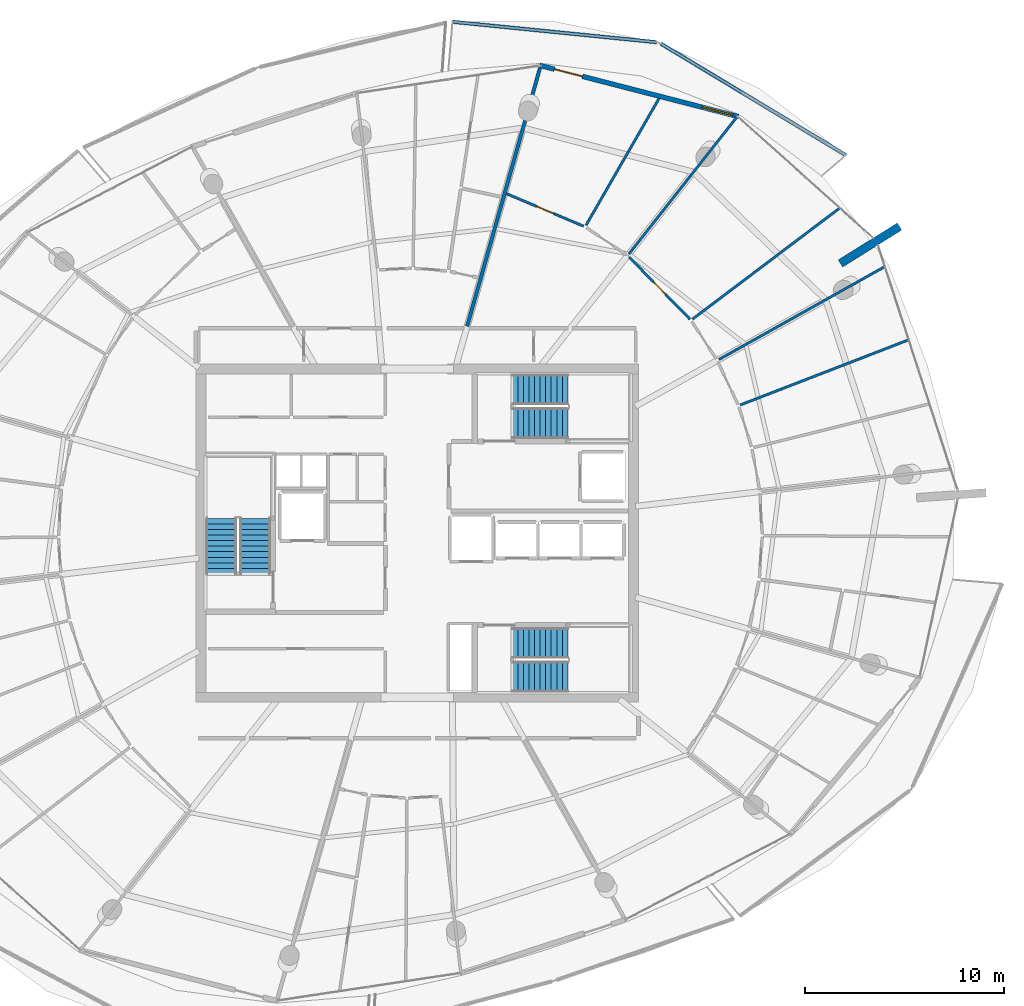
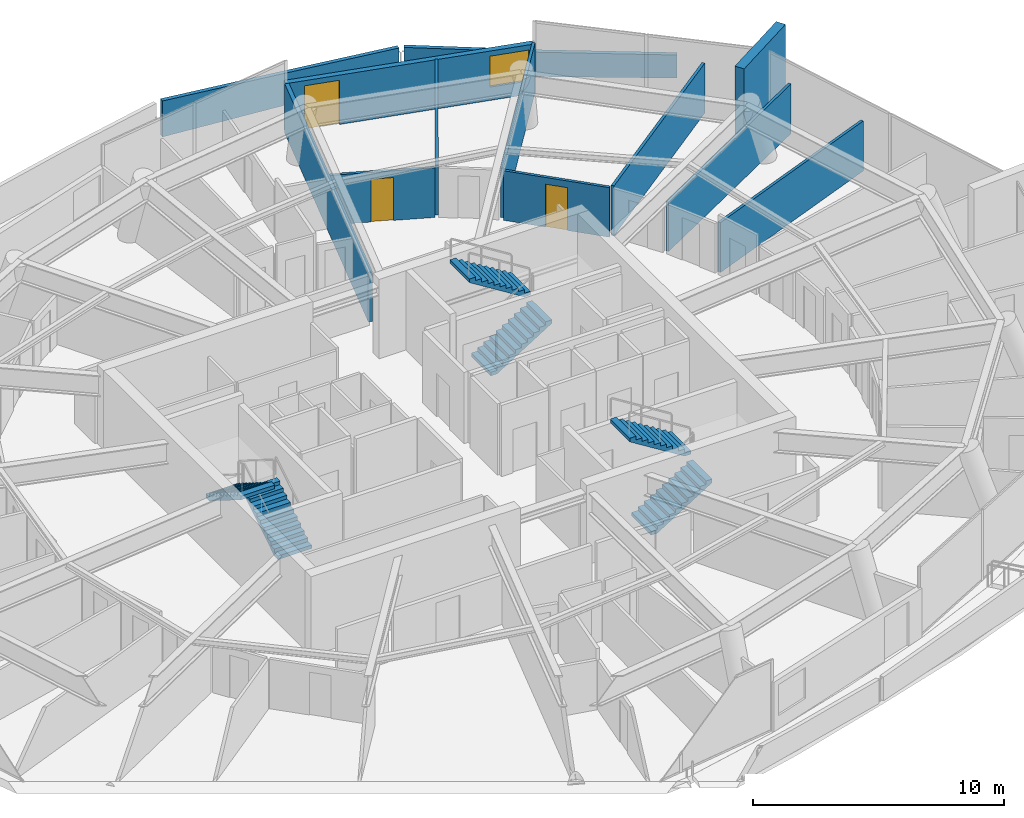
# One storey, part 19 of 24: 12 walls, 6 stair flights, 3 doors, 1 window, 4 openings, 3 elements without a shape of their own.
"""IFC4 building model written with IfcOpenShell, lengths in metres."""

import ifcopenshell
import ifcopenshell.guid

model = None  # the IFC model being written
_history = None  # IfcOwnerHistory: only IFC2X3 demands one
_inside = {}  # id of a spatial element -> (the spatial element, [elements in it])
_under = {}  # id of a project, library or spatial element -> (it, [spatial elements below it])
_declared = {}  # id of a project -> (the project, [libraries it declares])
_typed = {}  # id of a type object -> (the type object, [elements of that type])
_made_of = {}  # id of a material, layer set ... -> (it, [elements and type objects made of it])


def new_model(schema):
    """Start an empty IFC model of exactly this schema.

    Asked for "IFC4X3", IfcOpenShell would pick the latest addendum, in which some entities
    have other attributes; the version numbers below select the first issue.
    IFC2X3 requires an IfcOwnerHistory on every rooted entity: one is made here for all.
    """
    global model, _history
    if schema == "IFC4X3":
        model = ifcopenshell.file(schema_version=(4, 3, 0, 0))
    else:
        model = ifcopenshell.file(schema=schema)
    _inside.clear()
    _under.clear()
    _declared.clear()
    _typed.clear()
    _made_of.clear()
    _history = None
    if model.schema == "IFC2X3":
        org = make("IfcOrganization", Name="unknown")
        user = make(
            "IfcPersonAndOrganization",
            ThePerson=make("IfcPerson", FamilyName="unknown"),
            TheOrganization=org,
        )
        app = make(
            "IfcApplication",
            ApplicationDeveloper=org,
            Version="unknown",
            ApplicationFullName="unknown",
            ApplicationIdentifier="unknown",
        )
        _history = make(
            "IfcOwnerHistory",
            OwningUser=user,
            OwningApplication=app,
            ChangeAction="ADDED",
            CreationDate=0,
        )
    return model


def make(cls, **values):
    """One entity of the class cls with the attributes given. An attribute that is None is left unset."""
    return model.create_entity(
        cls, **{name: value for name, value in values.items() if value is not None}
    )


def rooted(cls, **values):
    """An entity with a GlobalId (a new one), such as an element, a storey or a relation."""
    return make(cls, GlobalId=ifcopenshell.guid.new(), OwnerHistory=_history, **values)


def si_unit(unit_type, name, prefix=None):
    """IfcSIUnit, for example si_unit("LENGTHUNIT", "METRE", prefix="MILLI")."""
    return make("IfcSIUnit", UnitType=unit_type, Prefix=prefix, Name=name)


def assignment(units):
    """IfcUnitAssignment: the units of a project."""
    return None if units is None else make("IfcUnitAssignment", Units=units)


def point(xyz):
    """IfcCartesianPoint."""
    return None if xyz is None else make("IfcCartesianPoint", Coordinates=xyz)


def direction(xyz):
    """IfcDirection."""
    return None if xyz is None else make("IfcDirection", DirectionRatios=xyz)


def frame(location, z_axis=None, x_axis=None):
    """IfcAxis2Placement3D, a coordinate frame: its origin and axes. An axis left out is left unset."""
    return make(
        "IfcAxis2Placement3D",
        Location=point(location),
        Axis=direction(z_axis),
        RefDirection=direction(x_axis),
    )


def frame_2d(location, x_axis=None):
    """IfcAxis2Placement2D, a coordinate frame in the plane: its origin and x axis."""
    return make(
        "IfcAxis2Placement2D", Location=point(location), RefDirection=direction(x_axis)
    )


def origin():
    """The frame at (0, 0, 0) with its axes left unset."""
    return frame((0.0, 0.0, 0.0))


def place(relative_to, where):
    """IfcLocalPlacement: puts the frame where relative to a parent placement (None: the world)."""
    return make(
        "IfcLocalPlacement", PlacementRelTo=relative_to, RelativePlacement=where
    )


def context(
    kind, dimensions, precision=None, world=None, true_north=None, identifier=None
):
    """IfcGeometricRepresentationContext, for example the 3D "Model" context."""
    return make(
        "IfcGeometricRepresentationContext",
        ContextIdentifier=identifier,
        ContextType=kind,
        CoordinateSpaceDimension=dimensions,
        Precision=precision,
        WorldCoordinateSystem=world,
        TrueNorth=true_north,
    )


def subcontext(parent, identifier, kind, view, scale=None):
    """IfcGeometricRepresentationSubContext, for example "Body" below "Model"."""
    return make(
        "IfcGeometricRepresentationSubContext",
        ContextIdentifier=identifier,
        ContextType=kind,
        ParentContext=parent,
        TargetScale=scale,
        TargetView=view,
    )


def project(units=None, contexts=None):
    """IfcProject with its units and contexts."""
    return rooted(
        "IfcProject",
        Name="project",
        RepresentationContexts=contexts,
        UnitsInContext=assignment(units),
    )


def spatial(cls, under=None, at=None, **own):
    """A site, building, storey or space (cls), placed at a placement, below another one or the project."""
    s = rooted(cls, ObjectPlacement=at, **own)
    if under is not None:
        _under.setdefault(under.id(), (under, []))[1].append(s)
    return s


def polyline(points):
    """IfcPolyline through the points."""
    return make("IfcPolyline", Points=[point(p) for p in points])


def profile(cls, at=None, kind="AREA", **sizes):
    """A parametric profile (cls). Its sizes go by their IFC names, for example OverallWidth=200.0."""
    return make(cls, ProfileType=kind, Position=at, **sizes)


def rectangle(**sizes):
    """IfcRectangleProfileDef."""
    return profile("IfcRectangleProfileDef", **sizes)


def outline(outer, holes=None, kind="AREA"):
    """IfcArbitraryClosedProfileDef: a profile drawn as a closed curve; with holes, ...WithVoids."""
    if holes is None:
        return make("IfcArbitraryClosedProfileDef", ProfileType=kind, OuterCurve=outer)
    return make(
        "IfcArbitraryProfileDefWithVoids",
        ProfileType=kind,
        OuterCurve=outer,
        InnerCurves=holes,
    )


def extrude(swept, where, along, depth):
    """IfcExtrudedAreaSolid: the profile swept, set in the frame where, extruded along a direction by depth."""
    return make(
        "IfcExtrudedAreaSolid",
        SweptArea=swept,
        Position=where,
        ExtrudedDirection=direction(along),
        Depth=depth,
    )


def shape(context_of_items, identifier, shape_type, items):
    """IfcShapeRepresentation: the items that make up one representation, for example the "Body"."""
    return make(
        "IfcShapeRepresentation",
        ContextOfItems=context_of_items,
        RepresentationIdentifier=identifier,
        RepresentationType=shape_type,
        Items=items,
    )


def material(Name=None, Category=None):
    """IfcMaterial."""
    return make("IfcMaterial", Name=Name, Category=Category)


def layer(
    of_material, thickness, ventilated=None, Name=None, Category=None, Priority=None
):
    """IfcMaterialLayer: one layer of a wall or slab, of a material (None: an air gap)."""
    return make(
        "IfcMaterialLayer",
        Material=of_material,
        LayerThickness=thickness,
        IsVentilated=ventilated,
        Name=Name,
        Category=Category,
        Priority=Priority,
    )


def layer_set(layers, Name=None):
    """IfcMaterialLayerSet."""
    return make("IfcMaterialLayerSet", MaterialLayers=layers, LayerSetName=Name)


def made_of(thing, what):
    """Note that an element or type object is made of a material, layer set ...; save() writes the relation."""
    if what is not None:
        _made_of.setdefault(what.id(), (what, []))[1].append(thing)
    return thing


def type_object(cls, material=None, **own):
    """A type object (cls), such as IfcWallType, which elements share."""
    return made_of(rooted(cls, **own), material)


def element(
    cls,
    number,
    at=None,
    inside=None,
    cuts=None,
    type_object=None,
    material=None,
    context=None,
    identifier="Body",
    shape_type=None,
    held_by="IfcProductDefinitionShape",
    body=None,
    shapes=None,
    **own,
):
    """One element of the class cls, such as IfcWall. Its Tag is "e" and its number.

    at: its placement. inside: the storey or other place that contains it. cuts: it is an
    opening in that element (IfcRelVoidsElement). A single representation is given by context,
    identifier, shape_type and body (its items); several are given by shapes. held_by: the class
    of the entity that holds the representations. save() writes the other relations.
    """
    e = rooted(cls, Tag="e%d" % number, ObjectPlacement=at, **own)
    if body is not None:
        shapes = [shape(context, identifier, shape_type, body)]
    if shapes is not None:
        e.Representation = make(held_by, Representations=shapes)
    if inside is not None:
        _inside.setdefault(inside.id(), (inside, []))[1].append(e)
    if cuts is not None:
        rooted(
            "IfcRelVoidsElement", RelatingBuildingElement=cuts, RelatedOpeningElement=e
        )
    if type_object is not None:
        _typed.setdefault(type_object.id(), (type_object, []))[1].append(e)
    return made_of(e, material)


def fill(opening, filler):
    """IfcRelFillsElement: the door or window that sits in an opening."""
    return rooted(
        "IfcRelFillsElement",
        RelatingOpeningElement=opening,
        RelatedBuildingElement=filler,
    )


def aggregate(whole, parts):
    """IfcRelAggregates: a whole, such as a stair, and the parts it consists of."""
    return rooted("IfcRelAggregates", RelatingObject=whole, RelatedObjects=parts)


def save(model, path):
    """Write the relations noted so far, then the file.

    IfcRelAggregates (storeys below a building ...), IfcRelContainedInSpatialStructure (elements
    in a storey), IfcRelDefinesByType, IfcRelAssociatesMaterial and IfcRelDeclares: one each for
    every whole, place, type object, material and project.
    """
    for whole, parts in _under.values():
        aggregate(whole, parts)
    for where, things in _inside.values():
        rooted(
            "IfcRelContainedInSpatialStructure",
            RelatedElements=things,
            RelatingStructure=where,
        )
    for kind, things in _typed.values():
        rooted("IfcRelDefinesByType", RelatedObjects=things, RelatingType=kind)
    for what, things in _made_of.values():
        rooted("IfcRelAssociatesMaterial", RelatedObjects=things, RelatingMaterial=what)
    for by, libraries in _declared.values():
        rooted("IfcRelDeclares", RelatingContext=by, RelatedDefinitions=libraries)
    model.write(path)


model = new_model("IFC4")

# Units and contexts
model_context = context("Model", 3, precision=1e-05, world=origin(), true_north=direction((0.0, 1.0)))
body_context = subcontext(model_context, "Body", "Model", "MODEL_VIEW")
ifc_project = project(units=[si_unit("LENGTHUNIT", "METRE"), si_unit("AREAUNIT", "SQUARE_METRE"), si_unit("VOLUMEUNIT", "CUBIC_METRE"), si_unit("PLANEANGLEUNIT", "RADIAN"), si_unit("MASSUNIT", "GRAM", prefix="KILO")], contexts=[model_context])

# Site, building, storey
site_placement = place(None, origin())
site = spatial("IfcSite", under=ifc_project, at=site_placement, CompositionType="ELEMENT")
building_placement = place(site_placement, origin())
building = spatial("IfcBuilding", under=site, at=building_placement, Name="Kazma Halo Residences", CompositionType="ELEMENT")
storey_placement = place(building_placement, frame((0.0, 0.0, 309.85009765625)))
storey = spatial("IfcBuildingStorey", under=building, at=storey_placement, Name="L78", CompositionType="ELEMENT", Elevation=309.85009765625)

# Walls
ifc_material_1 = material(Name="White Concrete C50/60 Balustrade", Category="concrete")
ifc_layer_1 = layer(ifc_material_1, 0.179931640625)
ifc_layer_set_1 = layer_set([ifc_layer_1], Name="White Concrete C50/60 Balustrade")
wall_type_1 = type_object("IfcWallType", Name="WL-BAL-WAVE-180", PredefinedType="PARAPET", material=ifc_layer_set_1)
wall_1_placement = place(storey_placement, frame((69.9814453125, 61.00732421875, 0.0), z_axis=(0.0, 0.0, 1.0), x_axis=(-0.85644224308, 0.516242853964, 0.0)))
element("IfcWall", 1, at=wall_1_placement, inside=storey, type_object=wall_type_1, Name="L78 white wave balustrade wall NE.1", PredefinedType="PARAPET", context=body_context, shape_type="SweptSolid", body=[
    extrude(outline(polyline([(0.0, 0.0), (10.8642578125, 0.0), (10.8642578125, 1.347900390625), (5.43212890625, 1.181884765625), (0.0, 1.119873046875), (0.0, 0.0)])), frame((0.0, 0.08984375, 0.0), z_axis=(0.0, -1.0, 0.0), x_axis=(1.0, 0.0, 0.0)), (0.0, 0.0, 1.0), 0.179931640625),
])
wall_2_placement = place(storey_placement, frame((60.45458984375, 66.689697265625, 0.0), z_axis=(0.0, 0.0, 1.0), x_axis=(-0.995045849645, 0.099417086577, 0.0)))
element("IfcWall", 2, at=wall_2_placement, inside=storey, type_object=wall_type_1, Name="L78 white wave balustrade wall NE.2", PredefinedType="PARAPET", context=body_context, shape_type="SweptSolid", body=[
    extrude(outline(polyline([(0.0, 0.0), (10.32373046875, 0.0), (10.32373046875, 1.746826171875), (5.161865234375, 1.56201171875), (0.0, 1.347900390625), (0.0, 0.0)])), frame((0.0, 0.08984375, 0.0), z_axis=(0.0, -1.0, 0.0), x_axis=(1.0, 0.0, 0.0)), (0.0, 0.0, 1.0), 0.179931640625),
])
ifc_material_2 = material(Name="Pale Concrete C60/75", Category="concrete")
ifc_layer_2 = layer(ifc_material_2, 0.419921875)
ifc_layer_set_2 = layer_set([ifc_layer_2], Name="Pale Concrete C60/75")
wall_type_2 = type_object("IfcWallType", Name="WL-BLADE-420", PredefinedType="SOLIDWALL", material=ifc_layer_set_2)
wall_3_placement = place(storey_placement, frame((69.707275390625, 55.564208984375, 0.0), z_axis=(0.0, 0.0, 1.0), x_axis=(0.848053161125, 0.529911158502, 0.0)))
element("IfcWall", 3, at=wall_3_placement, inside=storey, type_object=wall_type_2, Name="L78 pale concrete structural blade fin wall BW-01", PredefinedType="SOLIDWALL", context=body_context, shape_type="SweptSolid", body=[
    extrude(rectangle(XDim=3.5, YDim=0.419921875, at=frame_2d((1.75, 0.0))), origin(), (0.0, 0.0, 1.0), 3.849853515625),
])
ifc_material_3 = material(Name="Acoustic Twin-Stud Gypsum")
ifc_layer_3 = layer(ifc_material_3, 0.179931640625)
ifc_layer_set_3 = layer_set([ifc_layer_3], Name="Acoustic Twin-Stud Gypsum")
wall_type_3 = type_object("IfcWallType", Name="WL-DEM-180", PredefinedType="PARTITIONING", material=ifc_layer_set_3)
wall_4_placement = place(storey_placement, frame((50.934814453125, 52.406005859375, 0.0), z_axis=(0.0, 0.0, 1.0), x_axis=(0.271447701057, 0.962453191376, 0.0)))
element("IfcWall", 4, at=wall_4_placement, inside=storey, type_object=wall_type_3, Name="L78 apartment demising radial wall 02", PredefinedType="PARTITIONING", context=body_context, shape_type="SweptSolid", body=[
    extrude(rectangle(XDim=13.491943359375, YDim=0.179931640625, at=frame_2d((6.74609375, 0.0))), origin(), (0.0, 0.0, 1.0), 2.406982421875),
])

# Wall, openings, door, window
ifc_material_4 = material(Name="Insulated Pale-Metal Composite Wall")
ifc_layer_4 = layer(ifc_material_4, 0.239990234375)
ifc_layer_set_4 = layer_set([ifc_layer_4], Name="Insulated Pale-Metal Composite Wall")
wall_type_4 = type_object("IfcWallType", Name="WL-EXT-HOST-240", PredefinedType="SOLIDWALL", material=ifc_layer_set_4)
wall_5_placement = place(storey_placement, frame((64.57373046875, 62.94970703125, 0.0), z_axis=(0.0, 0.0, 1.0), x_axis=(-0.968369046262, 0.249522324133, 0.0)))
wall_5 = element("IfcWall", 5, at=wall_5_placement, inside=storey, type_object=wall_type_4, Name="L78 exterior terrace-access wall B02", PredefinedType="SOLIDWALL", context=body_context, shape_type="SweptSolid", body=[
    extrude(rectangle(XDim=10.317626953125, YDim=0.239990234375, at=frame_2d((5.15869140625, 0.0))), origin(), (0.0, 0.0, 1.0), 2.39990234375),
])
opening_1_placement = place(wall_5_placement, frame((8.097412109375, 0.0, 0.0)))
opening_1 = element("IfcOpeningElement", 6, at=opening_1_placement, cuts=wall_5, Name="Opening DTR-1600", PredefinedType="OPENING", context=body_context, shape_type="SweptSolid", body=[
    extrude(rectangle(XDim=1.449951171875, YDim=2.14990234375, at=frame_2d((0.72509765625, 1.074951171875))), frame((0.0, 0.1298828125, 0.0), z_axis=(0.0, -1.0, 0.0), x_axis=(1.0, 0.0, 0.0)), (0.0, 0.0, 1.0), 0.260009765625),
])
opening_2_placement = place(wall_5_placement, frame((0.280029296875, 0.0, 0.64990234375)))
opening_2 = element("IfcOpeningElement", 7, at=opening_2_placement, cuts=wall_5, Name="Opening W-1800", PredefinedType="OPENING", context=body_context, shape_type="SweptSolid", body=[
    extrude(rectangle(XDim=1.60009765625, YDim=1.5, at=frame_2d((0.800048828125, 0.75))), frame((0.0, 0.1298828125, 0.0), z_axis=(0.0, -1.0, 0.0), x_axis=(1.0, 0.0, 0.0)), (0.0, 0.0, 1.0), 0.260009765625),
])
ifc_material_5 = material(Name="Aluminium AW-6063 T6 Double-Glazed Terrace Door", Category="aluminium")
door_type_1 = type_object("IfcDoorType", Name="DR-EXT-TERR-1600", OperationType="NOTDEFINED", PredefinedType="DOOR", material=ifc_material_5)
door_1_placement = place(opening_1_placement, origin())
door_1 = element("IfcDoor", 8, at=door_1_placement, inside=storey, type_object=door_type_1, Name="L78 B02 balcony terrace door", OperationType="DOUBLE_DOOR_SLIDING", OverallHeight=2.14990234375, OverallWidth=1.449951171875, PredefinedType="DOOR", context=body_context, shape_type="SweptSolid", body=[
    extrude(rectangle(XDim=1.449951171875, YDim=2.14990234375, at=frame_2d((0.72509765625, 1.074951171875))), frame((0.0, 0.02490234375, 0.0), z_axis=(0.0, -1.0, 0.0), x_axis=(1.0, 0.0, 0.0)), (0.0, 0.0, 1.0), 0.050048828125),
])
fill(opening_1, door_1)
ifc_material_6 = material(Name="Clear Triple-Silver Low-E Glass in Aluminium AW-6063 T6 Frame", Category="aluminium")
window_type = type_object("IfcWindowType", Name="WIN-RES-1800", PartitioningType="DOUBLE_PANEL_VERTICAL", PredefinedType="WINDOW", material=ifc_material_6)
window_placement = place(opening_2_placement, origin())
window = element("IfcWindow", 9, at=window_placement, inside=storey, type_object=window_type, Name="L78 B02 apartment window", OverallHeight=1.5, OverallWidth=1.60009765625, PartitioningType="SINGLE_PANEL", PredefinedType="WINDOW", context=body_context, shape_type="SweptSolid", body=[
    extrude(rectangle(XDim=1.60009765625, YDim=1.5, at=frame_2d((0.800048828125, 0.75))), frame((0.0, 0.030029296875, 0.0), z_axis=(0.0, -1.0, 0.0), x_axis=(1.0, 0.0, 0.0)), (0.0, 0.0, 1.0), 0.06005859375),
])
fill(opening_2, window)

# Walls
ifc_material_7 = material(Name="Gypsum Plasterboard Partition")
ifc_layer_5 = layer(ifc_material_7, 0.125)
ifc_layer_set_5 = layer_set([ifc_layer_5], Name="Gypsum Plasterboard Partition")
wall_type_5 = type_object("IfcWallType", Name="WL-PART-125", PredefinedType="PARTITIONING", material=ifc_layer_set_5)
wall_6_placement = place(storey_placement, frame((64.66259765625, 48.4462890625, 0.0), z_axis=(0.0, 0.0, 1.0), x_axis=(0.932642933348, 0.360800719062, 0.0)))
element("IfcWall", 10, at=wall_6_placement, inside=storey, type_object=wall_type_5, Name="L78 Apartment 4 bay wall 2 15", PredefinedType="PARTITIONING", context=body_context, shape_type="SweptSolid", body=[
    extrude(rectangle(XDim=9.0673828125, YDim=0.125, at=frame_2d((4.53369140625, 0.0))), origin(), (0.0, 0.0, 1.0), 2.4248046875),
])
wall_7_placement = place(storey_placement, frame((63.5966796875, 50.734619140625, 0.0), z_axis=(0.0, 0.0, 1.0), x_axis=(0.872500345179, 0.48861349517, 0.0)))
element("IfcWall", 11, at=wall_7_placement, inside=storey, type_object=wall_type_5, Name="L78 Apartment 4 radial partition 0", PredefinedType="PARTITIONING", context=body_context, shape_type="SweptSolid", body=[
    extrude(rectangle(XDim=9.5439453125, YDim=0.125, at=frame_2d((4.77197265625, 0.0))), origin(), (0.0, 0.0, 1.0), 2.406982421875),
])
wall_8_placement = place(storey_placement, frame((62.26171875, 52.7607421875, 0.0), z_axis=(0.0, 0.0, 1.0), x_axis=(0.798277470684, 0.602289863603, 0.0)))
element("IfcWall", 12, at=wall_8_placement, inside=storey, type_object=wall_type_5, Name="L78 Apartment 4 mid-bay wall 0", PredefinedType="PARTITIONING", context=body_context, shape_type="SweptSolid", body=[
    extrude(rectangle(XDim=9.2529296875, YDim=0.125, at=frame_2d((4.62646484375, 0.0))), origin(), (0.0, 0.0, 1.0), 2.4248046875),
])

# Wall, opening, door
wall_9_placement = place(storey_placement, frame((62.134033203125, 52.763671875, 0.0), z_axis=(0.0, 0.0, 1.0), x_axis=(-0.699585598454, 0.714548801997, 0.0)))
wall_9 = element("IfcWall", 13, at=wall_9_placement, inside=storey, type_object=wall_type_5, Name="L78 Apartment 4 Corner Master Bedroom hall wall", PredefinedType="PARTITIONING", context=body_context, shape_type="SweptSolid", body=[
    extrude(rectangle(XDim=4.372802734375, YDim=0.125, at=frame_2d((2.1865234375, 0.0))), origin(), (0.0, 0.0, 1.0), 2.406982421875),
])
opening_3_placement = place(wall_9_placement, frame((1.736328125, 0.0, 0.0)))
opening_3 = element("IfcOpeningElement", 14, at=opening_3_placement, cuts=wall_9, Name="Opening DI-950", PredefinedType="OPENING", context=body_context, shape_type="SweptSolid", body=[
    extrude(rectangle(XDim=0.89990234375, YDim=2.080078125, at=frame_2d((0.449951171875, 1.0400390625))), frame((0.0, 0.072509765625, 0.0), z_axis=(0.0, -1.0, 0.0), x_axis=(1.0, 0.0, 0.0)), (0.0, 0.0, 1.0), 0.14501953125),
])
ifc_material_8 = material(Name="Timber Veneer Flush Leaf", Category="wood")
door_type_2 = type_object("IfcDoorType", Name="DR-INT-950", OperationType="NOTDEFINED", PredefinedType="DOOR", material=ifc_material_8)
door_2_placement = place(opening_3_placement, origin())
door_2 = element("IfcDoor", 15, at=door_2_placement, inside=storey, type_object=door_type_2, Name="L78 Apartment 4 Corner Master Bedroom door", OperationType="SINGLE_SWING_RIGHT", OverallHeight=2.080078125, OverallWidth=0.89990234375, PredefinedType="DOOR", context=body_context, shape_type="SweptSolid", body=[
    extrude(rectangle(XDim=0.89990234375, YDim=2.080078125, at=frame_2d((0.449951171875, 1.0400390625))), frame((0.0, 0.02490234375, 0.0), z_axis=(0.0, -1.0, 0.0), x_axis=(1.0, 0.0, 0.0)), (0.0, 0.0, 1.0), 0.050048828125),
])
fill(opening_3, door_2)

# Walls
wall_10_placement = place(storey_placement, frame((59.06689453125, 56.038330078125, 0.0), z_axis=(0.0, 0.0, 1.0), x_axis=(0.619108431237, 0.785305514034, 0.0)))
element("IfcWall", 16, at=wall_10_placement, inside=storey, type_object=wall_type_5, Name="L78 Apartment 4 radial partition 1", PredefinedType="PARTITIONING", context=body_context, shape_type="SweptSolid", body=[
    extrude(rectangle(XDim=8.791748046875, YDim=0.125, at=frame_2d((4.39599609375, 0.0))), origin(), (0.0, 0.0, 1.0), 2.406982421875),
])
wall_11_placement = place(storey_placement, frame((56.91259765625, 57.484130859375, 0.0), z_axis=(0.0, 0.0, 1.0), x_axis=(0.498883559373, 0.866669022285, 0.0)))
element("IfcWall", 17, at=wall_11_placement, inside=storey, type_object=wall_type_5, Name="L78 Apartment 4 mid-bay wall 1", PredefinedType="PARTITIONING", context=body_context, shape_type="SweptSolid", body=[
    extrude(rectangle(XDim=7.350341796875, YDim=0.125, at=frame_2d((3.67529296875, 0.0))), origin(), (0.0, 0.0, 1.0), 2.4248046875),
])

# Wall, opening, door
wall_12_placement = place(storey_placement, frame((56.794189453125, 57.43701171875, 0.0), z_axis=(0.0, 0.0, 1.0), x_axis=(-0.921600413671, 0.388140023087, 0.0)))
wall_12 = element("IfcWall", 18, at=wall_12_placement, inside=storey, type_object=wall_type_5, Name="L78 Apartment 4 Sky Master Bedroom hall wall", PredefinedType="PARTITIONING", context=body_context, shape_type="SweptSolid", body=[
    extrude(rectangle(XDim=4.206787109375, YDim=0.125, at=frame_2d((2.103515625, 0.0))), origin(), (0.0, 0.0, 1.0), 2.406982421875),
])
opening_4_placement = place(wall_12_placement, frame((1.6533203125, 0.0, 0.0)))
opening_4 = element("IfcOpeningElement", 19, at=opening_4_placement, cuts=wall_12, Name="Opening DI-950", PredefinedType="OPENING", context=body_context, shape_type="SweptSolid", body=[
    extrude(rectangle(XDim=0.89990234375, YDim=2.080078125, at=frame_2d((0.449951171875, 1.0400390625))), frame((0.0, 0.072509765625, 0.0), z_axis=(0.0, -1.0, 0.0), x_axis=(1.0, 0.0, 0.0)), (0.0, 0.0, 1.0), 0.14501953125),
])
door_3_placement = place(opening_4_placement, origin())
door_3 = element("IfcDoor", 20, at=door_3_placement, inside=storey, type_object=door_type_2, Name="L78 Apartment 4 Sky Master Bedroom door", OperationType="SINGLE_SWING_LEFT", OverallHeight=2.080078125, OverallWidth=0.89990234375, PredefinedType="DOOR", context=body_context, shape_type="SweptSolid", body=[
    extrude(rectangle(XDim=0.89990234375, YDim=2.080078125, at=frame_2d((0.449951171875, 1.0400390625))), frame((0.0, 0.02490234375, 0.0), z_axis=(0.0, -1.0, 0.0), x_axis=(1.0, 0.0, 0.0)), (0.0, 0.0, 1.0), 0.050048828125),
])
fill(opening_4, door_3)

# Stair, stair flights
ifc_material_9 = material(Name="Concrete C50/60", Category="concrete")
stair_type = type_object("IfcStairType", Name="STR-RES2", PredefinedType="HALF_TURN_STAIR", material=ifc_material_9)
stair_1_placement = place(storey_placement, origin())
stair_1 = element("IfcStair", 21, at=stair_1_placement, inside=storey, type_object=stair_type, Name="L78 Core exit stair ST-01", PredefinedType="HALF_TURN_STAIR")
stair_flight_type = type_object("IfcStairFlightType", Name="STR-RES2-FLT", PredefinedType="STRAIGHT", material=ifc_material_9)
stair_flight_1_placement = place(storey_placement, frame((40.27490234375, 39.949951171875, 0.0), z_axis=(0.0, 0.0, 1.0), x_axis=(0.0, 1.0, 0.0)))
stair_flight_1 = element("IfcStairFlight", 22, at=stair_flight_1_placement, type_object=stair_flight_type, Name="ST-01 flight 1", NumberOfRisers=11, NumberOfTreads=10, PredefinedType="STRAIGHT", RiserHeight=0.175, TreadLength=0.28, context=body_context, shape_type="SweptSolid", body=[
    extrude(outline(polyline([(0.0, 0.0), (0.0, 0.175048828125), (0.280029296875, 0.175048828125), (0.280029296875, 0.35009765625), (0.56005859375, 0.35009765625), (0.56005859375, 0.52490234375), (0.840087890625, 0.52490234375), (0.840087890625, 0.699951171875), (1.1201171875, 0.699951171875), (1.1201171875, 0.875), (1.39990234375, 0.875), (1.39990234375, 1.050048828125), (1.679931640625, 1.050048828125), (1.679931640625, 1.22509765625), (1.9599609375, 1.22509765625), (1.9599609375, 1.39990234375), (2.239990234375, 1.39990234375), (2.239990234375, 1.574951171875), (2.52001953125, 1.574951171875), (2.52001953125, 1.75), (2.800048828125, 1.75), (2.800048828125, 1.925048828125), (2.800048828125, 1.5732421875), (0.28271484375, 0.0), (0.0, 0.0)])), frame((0.0, 0.77490234375, 0.0), z_axis=(0.0, -1.0, 0.0), x_axis=(1.0, 0.0, 0.0)), (0.0, 0.0, 1.0), 1.550048828125),
])
stair_flight_2_placement = place(storey_placement, frame((38.574951171875, 42.75, 1.9248046875), z_axis=(0.0, 0.0, 1.0), x_axis=(0.0, -1.0, 0.0)))
stair_flight_2 = element("IfcStairFlight", 23, at=stair_flight_2_placement, type_object=stair_flight_type, Name="ST-01 flight 2", NumberOfRisers=11, NumberOfTreads=10, PredefinedType="STRAIGHT", RiserHeight=0.175, TreadLength=0.28, context=body_context, shape_type="SweptSolid", body=[
    extrude(outline(polyline([(0.0, 0.0), (0.0, 0.175048828125), (0.280029296875, 0.175048828125), (0.280029296875, 0.35009765625), (0.56005859375, 0.35009765625), (0.56005859375, 0.52490234375), (0.840087890625, 0.52490234375), (0.840087890625, 0.699951171875), (1.1201171875, 0.699951171875), (1.1201171875, 0.875), (1.39990234375, 0.875), (1.39990234375, 1.050048828125), (1.679931640625, 1.050048828125), (1.679931640625, 1.22509765625), (1.9599609375, 1.22509765625), (1.9599609375, 1.39990234375), (2.239990234375, 1.39990234375), (2.239990234375, 1.574951171875), (2.52001953125, 1.574951171875), (2.52001953125, 1.75), (2.800048828125, 1.75), (2.800048828125, 1.925048828125), (2.800048828125, 1.5732421875), (0.28271484375, 0.0), (0.0, 0.0)])), frame((0.0, 0.77490234375, 0.0), z_axis=(0.0, -1.0, 0.0), x_axis=(1.0, 0.0, 0.0)), (0.0, 0.0, 1.0), 1.550048828125),
])
aggregate(stair_1, [stair_flight_1, stair_flight_2])

stair_2_placement = place(storey_placement, origin())
stair_2 = element("IfcStair", 24, at=stair_2_placement, inside=storey, type_object=stair_type, Name="L78 Core exit stair ST-02", PredefinedType="HALF_TURN_STAIR")
stair_flight_3_placement = place(storey_placement, frame((53.199951171875, 47.52490234375, 0.0), z_axis=(0.0, 0.0, 1.0), x_axis=(1.0, 0.0, 0.0)))
stair_flight_3 = element("IfcStairFlight", 25, at=stair_flight_3_placement, type_object=stair_flight_type, Name="ST-02 flight 1", NumberOfRisers=11, NumberOfTreads=10, PredefinedType="STRAIGHT", RiserHeight=0.175, TreadLength=0.28, context=body_context, shape_type="SweptSolid", body=[
    extrude(outline(polyline([(0.0, 0.0), (0.0, 0.175048828125), (0.280029296875, 0.175048828125), (0.280029296875, 0.35009765625), (0.56005859375, 0.35009765625), (0.56005859375, 0.52490234375), (0.840087890625, 0.52490234375), (0.840087890625, 0.699951171875), (1.1201171875, 0.699951171875), (1.1201171875, 0.875), (1.39990234375, 0.875), (1.39990234375, 1.050048828125), (1.679931640625, 1.050048828125), (1.679931640625, 1.22509765625), (1.9599609375, 1.22509765625), (1.9599609375, 1.39990234375), (2.239990234375, 1.39990234375), (2.239990234375, 1.574951171875), (2.52001953125, 1.574951171875), (2.52001953125, 1.75), (2.800048828125, 1.75), (2.800048828125, 1.925048828125), (2.800048828125, 1.5732421875), (0.28271484375, 0.0), (0.0, 0.0)])), frame((0.0, 0.77490234375, 0.0), z_axis=(0.0, -1.0, 0.0), x_axis=(1.0, 0.0, 0.0)), (0.0, 0.0, 1.0), 1.550048828125),
])
stair_flight_4_placement = place(storey_placement, frame((56.0, 49.22509765625, 1.9248046875), z_axis=(0.0, 0.0, 1.0), x_axis=(-1.0, 0.0, 0.0)))
stair_flight_4 = element("IfcStairFlight", 26, at=stair_flight_4_placement, type_object=stair_flight_type, Name="ST-02 flight 2", NumberOfRisers=11, NumberOfTreads=10, PredefinedType="STRAIGHT", RiserHeight=0.175, TreadLength=0.28, context=body_context, shape_type="SweptSolid", body=[
    extrude(outline(polyline([(0.0, 0.0), (0.0, 0.175048828125), (0.280029296875, 0.175048828125), (0.280029296875, 0.35009765625), (0.56005859375, 0.35009765625), (0.56005859375, 0.52490234375), (0.840087890625, 0.52490234375), (0.840087890625, 0.699951171875), (1.1201171875, 0.699951171875), (1.1201171875, 0.875), (1.39990234375, 0.875), (1.39990234375, 1.050048828125), (1.679931640625, 1.050048828125), (1.679931640625, 1.22509765625), (1.9599609375, 1.22509765625), (1.9599609375, 1.39990234375), (2.239990234375, 1.39990234375), (2.239990234375, 1.574951171875), (2.52001953125, 1.574951171875), (2.52001953125, 1.75), (2.800048828125, 1.75), (2.800048828125, 1.925048828125), (2.800048828125, 1.5732421875), (0.28271484375, 0.0), (0.0, 0.0)])), frame((0.0, 0.77490234375, 0.0), z_axis=(0.0, -1.0, 0.0), x_axis=(1.0, 0.0, 0.0)), (0.0, 0.0, 1.0), 1.550048828125),
])
aggregate(stair_2, [stair_flight_3, stair_flight_4])

stair_3_placement = place(storey_placement, origin())
stair_3 = element("IfcStair", 27, at=stair_3_placement, inside=storey, type_object=stair_type, Name="L78 Core exit stair ST-03", PredefinedType="HALF_TURN_STAIR")
stair_flight_5_placement = place(storey_placement, frame((53.199951171875, 34.77490234375, 0.0), z_axis=(0.0, 0.0, 1.0), x_axis=(1.0, 0.0, 0.0)))
stair_flight_5 = element("IfcStairFlight", 28, at=stair_flight_5_placement, type_object=stair_flight_type, Name="ST-03 flight 1", NumberOfRisers=11, NumberOfTreads=10, PredefinedType="STRAIGHT", RiserHeight=0.175, TreadLength=0.28, context=body_context, shape_type="SweptSolid", body=[
    extrude(outline(polyline([(0.0, 0.0), (0.0, 0.175048828125), (0.280029296875, 0.175048828125), (0.280029296875, 0.35009765625), (0.56005859375, 0.35009765625), (0.56005859375, 0.52490234375), (0.840087890625, 0.52490234375), (0.840087890625, 0.699951171875), (1.1201171875, 0.699951171875), (1.1201171875, 0.875), (1.39990234375, 0.875), (1.39990234375, 1.050048828125), (1.679931640625, 1.050048828125), (1.679931640625, 1.22509765625), (1.9599609375, 1.22509765625), (1.9599609375, 1.39990234375), (2.239990234375, 1.39990234375), (2.239990234375, 1.574951171875), (2.52001953125, 1.574951171875), (2.52001953125, 1.75), (2.800048828125, 1.75), (2.800048828125, 1.925048828125), (2.800048828125, 1.5732421875), (0.28271484375, 0.0), (0.0, 0.0)])), frame((0.0, 0.77490234375, 0.0), z_axis=(0.0, -1.0, 0.0), x_axis=(1.0, 0.0, 0.0)), (0.0, 0.0, 1.0), 1.550048828125),
])
stair_flight_6_placement = place(storey_placement, frame((56.0, 36.47509765625, 1.9248046875), z_axis=(0.0, 0.0, 1.0), x_axis=(-1.0, 0.0, 0.0)))
stair_flight_6 = element("IfcStairFlight", 29, at=stair_flight_6_placement, type_object=stair_flight_type, Name="ST-03 flight 2", NumberOfRisers=11, NumberOfTreads=10, PredefinedType="STRAIGHT", RiserHeight=0.175, TreadLength=0.28, context=body_context, shape_type="SweptSolid", body=[
    extrude(outline(polyline([(0.0, 0.0), (0.0, 0.175048828125), (0.280029296875, 0.175048828125), (0.280029296875, 0.35009765625), (0.56005859375, 0.35009765625), (0.56005859375, 0.52490234375), (0.840087890625, 0.52490234375), (0.840087890625, 0.699951171875), (1.1201171875, 0.699951171875), (1.1201171875, 0.875), (1.39990234375, 0.875), (1.39990234375, 1.050048828125), (1.679931640625, 1.050048828125), (1.679931640625, 1.22509765625), (1.9599609375, 1.22509765625), (1.9599609375, 1.39990234375), (2.239990234375, 1.39990234375), (2.239990234375, 1.574951171875), (2.52001953125, 1.574951171875), (2.52001953125, 1.75), (2.800048828125, 1.75), (2.800048828125, 1.925048828125), (2.800048828125, 1.5732421875), (0.28271484375, 0.0), (0.0, 0.0)])), frame((0.0, 0.77490234375, 0.0), z_axis=(0.0, -1.0, 0.0), x_axis=(1.0, 0.0, 0.0)), (0.0, 0.0, 1.0), 1.550048828125),
])
aggregate(stair_3, [stair_flight_5, stair_flight_6])

save(model, "model.ifc")
